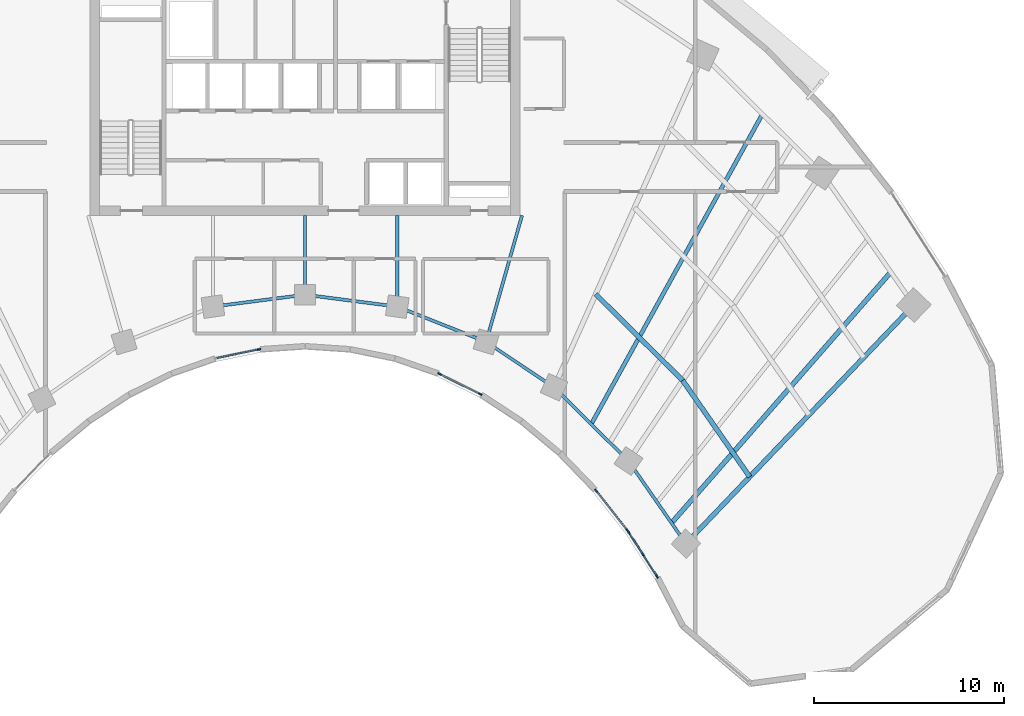
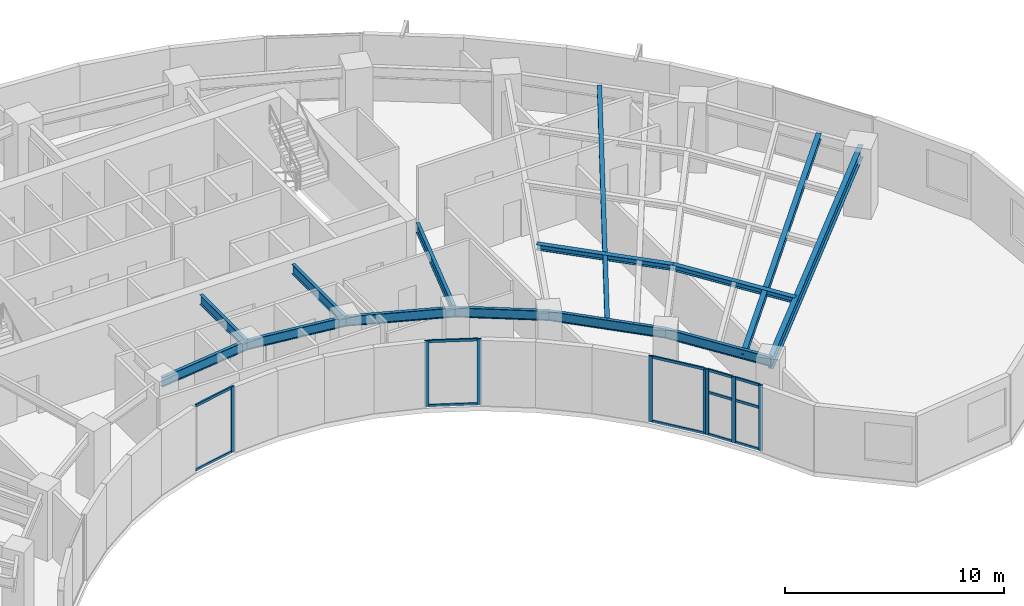
# One storey, part 3 of 14: 20 members, 14 beams, 4 elements without a shape of their own.
"""IFC4 building model written with IfcOpenShell, lengths in metres."""

from ifc_helpers import new_model, si_unit, direction, frame, origin, origin_2d, place, context, subcontext, project, spatial, rectangle, i_section, extrude, source, transform, mapped, material, layer, layer_set, material_profile, profile_set, type_object, type_shapes, element, aggregate, save


model = new_model("IFC4")

# Units and contexts
model_context = context("Model", 3, precision=1e-05, world=origin(), true_north=direction((0.0, 1.0)))
body_context = subcontext(model_context, "Body", "Model", "MODEL_VIEW")
ifc_project = project(units=[si_unit("LENGTHUNIT", "METRE"), si_unit("AREAUNIT", "SQUARE_METRE"), si_unit("VOLUMEUNIT", "CUBIC_METRE"), si_unit("PLANEANGLEUNIT", "RADIAN"), si_unit("MASSUNIT", "GRAM", prefix="KILO")], contexts=[model_context])

# Site, building, storey
site_placement = place(None, origin())
site = spatial("IfcSite", under=ifc_project, at=site_placement, CompositionType="ELEMENT")
building_placement = place(site_placement, origin())
building = spatial("IfcBuilding", under=site, at=building_placement, Name="Breltana Convention Tower", CompositionType="ELEMENT")
storey_placement = place(building_placement, frame((0.0, 0.0, 115.5)))
storey = spatial("IfcBuildingStorey", under=building, at=storey_placement, Name="L27", CompositionType="ELEMENT", Elevation=115.5)

# Beams
ifc_material_1 = material(Name="Steel ASTM A992 Grade 50", Category="steel")
ifc_material_profile_1 = material_profile(ifc_material_1, i_section(OverallWidth=0.25390625, OverallDepth=0.68798828125, WebThickness=0.01318359375, FlangeThickness=0.02099609375, at=origin_2d()), Name="W27X102")
ifc_profile_set_1 = profile_set([ifc_material_profile_1], Name="Steel ASTM A992 Grade 50")
beam_type_1 = type_object("IfcBeamType", Name="BM-RG-W27X102", PredefinedType="USERDEFINED", material=ifc_profile_set_1)
shared_shape_1 = source(origin(), body_context, "Body", "SweptSolid", [
    extrude(i_section(OverallWidth=0.25390625, OverallDepth=0.68798828125, WebThickness=0.01318359375, FlangeThickness=0.02099609375, at=origin_2d()), origin(), (0.0, 0.0, 1.0), 17.341064453125),
])
type_shapes(beam_type_1, [shared_shape_1])
beam_1_placement = place(storey_placement, frame((68.015380859375, 42.95458984375, 3.305908203125), z_axis=(0.690716462293, 0.723125693581, 0.0), x_axis=(-0.723125693581, 0.690716462293, 0.0)))
element("IfcBeam", 1, at=beam_1_placement, inside=storey, type_object=beam_type_1, Name="L27 Radial Floor Girder R11", ObjectType="GIRDER", PredefinedType="USERDEFINED", context=body_context, shape_type="MappedRepresentation", body=[
    mapped(shared_shape_1, transform((0.0, 0.0, 0.0), scale=1.0)),
])
ifc_material_profile_2 = material_profile(ifc_material_1, i_section(OverallWidth=0.166015625, OverallDepth=0.534912109375, WebThickness=0.01025390625, FlangeThickness=0.0166015625, at=origin_2d()), Name="W21X57")
ifc_profile_set_2 = profile_set([ifc_material_profile_2], Name="Steel ASTM A992 Grade 50")
beam_type_2 = type_object("IfcBeamType", Name="BM-BM-W21X57", PredefinedType="BEAM", material=ifc_profile_set_2)
shared_shape_2 = source(origin(), body_context, "Body", "SweptSolid", [
    extrude(i_section(OverallWidth=0.166015625, OverallDepth=0.534912109375, WebThickness=0.01025390625, FlangeThickness=0.0166015625, at=origin_2d()), origin(), (0.0, 0.0, 1.0), 6.904541015625),
])
type_shapes(beam_type_2, [shared_shape_2])
beam_2_placement = place(storey_placement, frame((59.39990234375, 60.199951171875, 3.382568359375), z_axis=(-0.273006781054, -0.962012108811, 0.0), x_axis=(0.962012108811, -0.273006781054, 0.0)))
element("IfcBeam", 2, at=beam_2_placement, inside=storey, type_object=beam_type_2, Name="L27 South Core Tie Girder R08", PredefinedType="BEAM", context=body_context, shape_type="MappedRepresentation", body=[
    mapped(shared_shape_2, transform((0.0, 0.0, 0.0), scale=1.0)),
])
shared_shape_3 = source(origin(), body_context, "Body", "SweptSolid", [
    extrude(i_section(OverallWidth=0.166015625, OverallDepth=0.534912109375, WebThickness=0.01025390625, FlangeThickness=0.0166015625, at=origin_2d()), origin(), (0.0, 0.0, 1.0), 4.789306640625),
])
beam_3_placement = place(storey_placement, frame((52.846435546875, 60.199951171875, 3.382568359375), z_axis=(0.0, -1.0, 0.0), x_axis=(1.0, 0.0, 0.0)))
element("IfcBeam", 3, at=beam_3_placement, inside=storey, type_object=beam_type_2, Name="L27 South Core Tie Girder R07", PredefinedType="BEAM", context=body_context, shape_type="MappedRepresentation", body=[
    mapped(shared_shape_3, transform((0.0, 0.0, 0.0), scale=1.0)),
])
shared_shape_4 = source(origin(), body_context, "Body", "SweptSolid", [
    extrude(i_section(OverallWidth=0.166015625, OverallDepth=0.534912109375, WebThickness=0.01025390625, FlangeThickness=0.0166015625, at=origin_2d()), origin(), (0.0, 0.0, 1.0), 4.1640625),
])
beam_4_placement = place(storey_placement, frame((48.0, 60.199951171875, 3.382568359375), z_axis=(0.0, -1.0, 0.0), x_axis=(1.0, 0.0, 0.0)))
element("IfcBeam", 4, at=beam_4_placement, inside=storey, type_object=beam_type_2, Name="L27 South Core Tie Girder R06", PredefinedType="BEAM", context=body_context, shape_type="MappedRepresentation", body=[
    mapped(shared_shape_4, transform((0.0, 0.0, 0.0), scale=1.0)),
])
shared_shape_5 = source(origin(), body_context, "Body", "SweptSolid", [
    extrude(i_section(OverallWidth=0.166015625, OverallDepth=0.534912109375, WebThickness=0.01025390625, FlangeThickness=0.0166015625, at=origin_2d()), origin(), (0.0, 0.0, 1.0), 5.022705078125),
])
beam_5_placement = place(storey_placement, frame((52.846435546875, 55.41064453125, 3.382568359375), z_axis=(0.929458966248, -0.368925507469, 0.0), x_axis=(0.368925507469, 0.929458966248, 0.0)))
element("IfcBeam", 5, at=beam_5_placement, inside=storey, type_object=beam_type_2, Name="L27 Inner Ring Beam 07", PredefinedType="BEAM", context=body_context, shape_type="MappedRepresentation", body=[
    mapped(shared_shape_5, transform((0.0, 0.0, 0.0), scale=1.0)),
])
shared_shape_6 = source(origin(), body_context, "Body", "SweptSolid", [
    extrude(i_section(OverallWidth=0.166015625, OverallDepth=0.534912109375, WebThickness=0.01025390625, FlangeThickness=0.0166015625, at=origin_2d()), origin(), (0.0, 0.0, 1.0), 4.88671875),
])
for number, where, z_axis, x_axis, name in (
    (6, (43.153564453125, 55.41064453125, 3.382568359375), (0.991780525565, 0.127950729231, 0.0), (-0.127950729231, 0.991780525565, 0.0), "L27 Inner Ring Beam 05"),
    (7, (48.0, 56.035888671875, 3.382568359375), (0.991780525565, -0.127950729231, 0.0), (0.127950729231, 0.991780525565, 0.0), "L27 Inner Ring Beam 06"),
):
    element("IfcBeam", number, at=place(storey_placement, frame(where, z_axis=z_axis, x_axis=x_axis)), inside=storey, type_object=beam_type_2, Name=name, PredefinedType="BEAM", context=body_context, shape_type="MappedRepresentation", body=[
        mapped(shared_shape_6, transform((0.0, 0.0, 0.0), scale=1.0)),
    ])
shared_shape_7 = source(origin(), body_context, "Body", "SweptSolid", [
    extrude(i_section(OverallWidth=0.166015625, OverallDepth=0.534912109375, WebThickness=0.01025390625, FlangeThickness=0.0166015625, at=origin_2d()), origin(), (0.0, 0.0, 1.0), 4.2900390625),
])
beam_6_placement = place(storey_placement, frame((57.514892578125, 53.5576171875, 3.382568359375), z_axis=(0.831515827753, -0.555501060482, 0.0), x_axis=(0.555501060482, 0.831515827753, 0.0)))
element("IfcBeam", 8, at=beam_6_placement, inside=storey, type_object=beam_type_2, Name="L27 Inner Ring Beam 08", PredefinedType="BEAM", context=body_context, shape_type="MappedRepresentation", body=[
    mapped(shared_shape_7, transform((0.0, 0.0, 0.0), scale=1.0)),
])
shared_shape_8 = source(origin(), body_context, "Body", "SweptSolid", [
    extrude(i_section(OverallWidth=0.166015625, OverallDepth=0.534912109375, WebThickness=0.01025390625, FlangeThickness=0.0166015625, at=origin_2d()), origin(), (0.0, 0.0, 1.0), 5.51171875),
])
beam_7_placement = place(storey_placement, frame((61.08203125, 51.174560546875, 3.382568359375), z_axis=(0.710090360749, -0.704110559196, 0.0), x_axis=(0.704110559196, 0.710090360749, 0.0)))
element("IfcBeam", 9, at=beam_7_placement, inside=storey, type_object=beam_type_2, Name="L27 Inner Ring Beam 09", PredefinedType="BEAM", context=body_context, shape_type="MappedRepresentation", body=[
    mapped(shared_shape_8, transform((0.0, 0.0, 0.0), scale=1.0)),
])
shared_shape_9 = source(origin(), body_context, "Body", "SweptSolid", [
    extrude(i_section(OverallWidth=0.166015625, OverallDepth=0.534912109375, WebThickness=0.01025390625, FlangeThickness=0.0166015625, at=origin_2d()), origin(), (0.0, 0.0, 1.0), 5.286376953125),
])
beam_8_placement = place(storey_placement, frame((64.995849609375, 47.293701171875, 3.382568359375), z_axis=(0.571194382458, -0.82081482531, 0.0), x_axis=(0.82081482531, 0.571194382458, 0.0)))
element("IfcBeam", 10, at=beam_8_placement, inside=storey, type_object=beam_type_2, Name="L27 Inner Ring Beam 10", PredefinedType="BEAM", context=body_context, shape_type="MappedRepresentation", body=[
    mapped(shared_shape_9, transform((0.0, 0.0, 0.0), scale=1.0)),
])
ifc_material_profile_3 = material_profile(ifc_material_1, i_section(OverallWidth=0.25390625, OverallDepth=0.305908203125, WebThickness=0.0087890625, FlangeThickness=0.0146484375, at=origin_2d()), Name="W12X53")
ifc_profile_set_3 = profile_set([ifc_material_profile_3], Name="Steel ASTM A992 Grade 50")
beam_type_3 = type_object("IfcBeamType", Name="BM-JSG-10", PredefinedType="JOIST", material=ifc_profile_set_3)
shared_shape_10 = source(origin(), body_context, "Body", "SweptSolid", [
    extrude(i_section(OverallWidth=0.25390625, OverallDepth=0.305908203125, WebThickness=0.0087890625, FlangeThickness=0.0146484375, at=origin_2d()), origin(), (0.0, 0.0, 1.0), 6.435302734375),
])
beam_9_placement = place(storey_placement, frame((63.27392578125, 56.06298828125, 3.4970703125), z_axis=(0.710116389828, -0.704084308089, 0.0), x_axis=(0.704084308089, 0.710116389828, 0.0)))
element("IfcBeam", 11, at=beam_9_placement, inside=storey, type_object=beam_type_3, Name="L27 Composite Floor Joist 09.1", PredefinedType="JOIST", context=body_context, shape_type="MappedRepresentation", body=[
    mapped(shared_shape_10, transform((0.0, 0.0, 0.0), scale=1.0)),
])
ifc_material_profile_4 = material_profile(ifc_material_1, i_section(OverallWidth=0.214111328125, OverallDepth=0.549072265625, WebThickness=0.0146484375, FlangeThickness=0.023681640625, at=origin_2d()), Name="W21X93")
ifc_profile_set_4 = profile_set([ifc_material_profile_4], Name="Steel ASTM A992 Grade 50")
beam_type_4 = type_object("IfcBeamType", Name="BM-JSG-03", PredefinedType="JOIST", material=ifc_profile_set_4)
shared_shape_11 = source(origin(), body_context, "Body", "SweptSolid", [
    extrude(i_section(OverallWidth=0.214111328125, OverallDepth=0.549072265625, WebThickness=0.0146484375, FlangeThickness=0.023681640625, at=origin_2d()), origin(), (0.0, 0.0, 1.0), 18.617431640625),
])
beam_10_placement = place(storey_placement, frame((63.038818359375, 49.234130859375, 3.37548828125), z_axis=(0.483405602507, 0.875396495004, 0.0), x_axis=(-0.875396495004, 0.483405602507, 0.0)))
element("IfcBeam", 12, at=beam_10_placement, inside=storey, type_object=beam_type_4, Name="L27 Mid-Bay Radial Trimmer 09", PredefinedType="JOIST", context=body_context, shape_type="MappedRepresentation", body=[
    mapped(shared_shape_11, transform((0.0, 0.0, 0.0), scale=1.0)),
])
shared_shape_12 = source(origin(), body_context, "Body", "SweptSolid", [
    extrude(i_section(OverallWidth=0.25390625, OverallDepth=0.305908203125, WebThickness=0.0087890625, FlangeThickness=0.0146484375, at=origin_2d()), origin(), (0.0, 0.0, 1.0), 6.172119140625),
])
beam_11_placement = place(storey_placement, frame((67.84375, 51.531982421875, 3.4970703125), z_axis=(0.571211663392, -0.820802799462, 0.0), x_axis=(0.820802799462, 0.571211663392, 0.0)))
element("IfcBeam", 13, at=beam_11_placement, inside=storey, type_object=beam_type_3, Name="L27 Composite Floor Joist 10.1", PredefinedType="JOIST", context=body_context, shape_type="MappedRepresentation", body=[
    mapped(shared_shape_12, transform((0.0, 0.0, 0.0), scale=1.0)),
])
shared_shape_13 = source(origin(), body_context, "Body", "SweptSolid", [
    extrude(i_section(OverallWidth=0.25390625, OverallDepth=0.305908203125, WebThickness=0.0087890625, FlangeThickness=0.0146484375, at=origin_2d()), origin(), (0.0, 0.0, 1.0), 17.515625),
])
beam_12_placement = place(storey_placement, frame((67.260498046875, 44.03955078125, 3.4970703125), z_axis=(0.658051548324, 0.752972881151, 0.0), x_axis=(-0.752972881151, 0.658051548324, 0.0)))
element("IfcBeam", 14, at=beam_12_placement, inside=storey, type_object=beam_type_3, Name="L27 Quarter-Bay Radial Trimmer 10", PredefinedType="JOIST", context=body_context, shape_type="MappedRepresentation", body=[
    mapped(shared_shape_13, transform((0.0, 0.0, 0.0), scale=1.0)),
])

# Curtain wall, members
ifc_material_2 = material(Name="Aluminium Anodised Bronze Frame", Category="aluminium")
ifc_layer = layer(ifc_material_2, 0.18994140625, Name="Aluminium Anodised Bronze Frame")
ifc_layer_set = layer_set([ifc_layer], Name="Aluminium Anodised Bronze Frame")
curtain_wall_type = type_object("IfcCurtainWallType", Name="CW-SYS-1", PredefinedType="NOTDEFINED", material=ifc_layer_set)
curtain_wall_1_placement = place(storey_placement, origin())
curtain_wall_1 = element("IfcCurtainWall", 15, at=curtain_wall_1_placement, inside=storey, type_object=curtain_wall_type, Name="L27 inner south-court glazing 1", PredefinedType="NOTDEFINED")
ifc_material_3 = material(Name="Aluminium Anodised Bronze", Category="aluminium")
ifc_material_profile_5 = material_profile(ifc_material_3, rectangle(XDim=0.080078125, YDim=0.139892578125, at=origin_2d()), Name="CWT-80X140")
ifc_profile_set_5 = profile_set([ifc_material_profile_5], Name="Aluminium Anodised Bronze")
member_type_1 = type_object("IfcMemberType", Name="CWT-140", PredefinedType="USERDEFINED", material=ifc_profile_set_5)
shared_shape_14 = source(origin(), body_context, "Body", "SweptSolid", [
    extrude(rectangle(XDim=0.080078125, YDim=0.139892578125, at=origin_2d()), origin(), (0.0, 0.0, 1.0), 1.30029296875),
])
member_1_placement = place(storey_placement, frame((66.4794921875, 41.259521484375, 0.0400390625), z_axis=(-0.540188084224, 0.841544314735, 0.0), x_axis=(-0.841544314735, -0.540188084224, 0.0)))
member_1 = element("IfcMember", 16, at=member_1_placement, type_object=member_type_1, Name="CW-01 transom 1.1", ObjectType="TRANSOM", PredefinedType="USERDEFINED", context=body_context, shape_type="MappedRepresentation", body=[
    mapped(shared_shape_14, transform((0.0, 0.0, 0.0), scale=1.0)),
])
member_2_placement = place(storey_placement, frame((66.4794921875, 41.259521484375, 2.37255859375), z_axis=(-0.540188084224, 0.841544314735, 0.0), x_axis=(-0.841544314735, -0.540188084224, 0.0)))
member_2 = element("IfcMember", 17, at=member_2_placement, type_object=member_type_1, Name="CW-01 transom 1.2", ObjectType="TRANSOM", PredefinedType="USERDEFINED", context=body_context, shape_type="MappedRepresentation", body=[
    mapped(shared_shape_14, transform((0.0, 0.0, 0.0), scale=1.0)),
])
member_3_placement = place(storey_placement, frame((66.4794921875, 41.259521484375, 3.610107421875), z_axis=(-0.540188084224, 0.841544314735, 0.0), x_axis=(-0.841544314735, -0.540188084224, 0.0)))
member_3 = element("IfcMember", 18, at=member_3_placement, type_object=member_type_1, Name="CW-01 transom 1.3", ObjectType="TRANSOM", PredefinedType="USERDEFINED", context=body_context, shape_type="MappedRepresentation", body=[
    mapped(shared_shape_14, transform((0.0, 0.0, 0.0), scale=1.0)),
])
shared_shape_15 = source(origin(), body_context, "Body", "SweptSolid", [
    extrude(rectangle(XDim=0.080078125, YDim=0.139892578125, at=origin_2d()), origin(), (0.0, 0.0, 1.0), 1.300048828125),
])
member_4_placement = place(storey_placement, frame((65.73388671875, 42.4208984375, 0.0400390625), z_axis=(-0.540140453972, 0.841574886735, 0.0), x_axis=(-0.841574886735, -0.540140453972, 0.0)))
member_4 = element("IfcMember", 19, at=member_4_placement, type_object=member_type_1, Name="CW-01 transom 2.1", ObjectType="TRANSOM", PredefinedType="USERDEFINED", context=body_context, shape_type="MappedRepresentation", body=[
    mapped(shared_shape_15, transform((0.0, 0.0, 0.0), scale=1.0)),
])
member_5_placement = place(storey_placement, frame((65.73388671875, 42.4208984375, 2.37255859375), z_axis=(-0.540140453972, 0.841574886735, 0.0), x_axis=(-0.841574886735, -0.540140453972, 0.0)))
member_5 = element("IfcMember", 20, at=member_5_placement, type_object=member_type_1, Name="CW-01 transom 2.2", ObjectType="TRANSOM", PredefinedType="USERDEFINED", context=body_context, shape_type="MappedRepresentation", body=[
    mapped(shared_shape_15, transform((0.0, 0.0, 0.0), scale=1.0)),
])
member_6_placement = place(storey_placement, frame((65.73388671875, 42.4208984375, 3.610107421875), z_axis=(-0.540140453972, 0.841574886735, 0.0), x_axis=(-0.841574886735, -0.540140453972, 0.0)))
member_6 = element("IfcMember", 21, at=member_6_placement, type_object=member_type_1, Name="CW-01 transom 2.3", ObjectType="TRANSOM", PredefinedType="USERDEFINED", context=body_context, shape_type="MappedRepresentation", body=[
    mapped(shared_shape_15, transform((0.0, 0.0, 0.0), scale=1.0)),
])

curtain_wall_2_placement = place(storey_placement, origin())
curtain_wall_2 = element("IfcCurtainWall", 22, at=curtain_wall_2_placement, inside=storey, type_object=curtain_wall_type, Name="L27 inner south-court glazing 2", PredefinedType="NOTDEFINED")
shared_shape_16 = source(origin(), body_context, "Body", "SweptSolid", [
    extrude(rectangle(XDim=0.080078125, YDim=0.139892578125, at=origin_2d()), origin(), (0.0, 0.0, 1.0), 2.6005859375),
])
member_7_placement = place(storey_placement, frame((64.928955078125, 43.6591796875, 0.0400390625), z_axis=(-0.618078566977, 0.786116330478, 0.0), x_axis=(-0.786116330478, -0.618078566977, 0.0)))
member_7 = element("IfcMember", 23, at=member_7_placement, type_object=member_type_1, Name="CW-01 transom 1.1", ObjectType="TRANSOM", PredefinedType="USERDEFINED", context=body_context, shape_type="MappedRepresentation", body=[
    mapped(shared_shape_16, transform((0.0, 0.0, 0.0), scale=1.0)),
])
member_8_placement = place(storey_placement, frame((64.928955078125, 43.6591796875, 3.610107421875), z_axis=(-0.618078566977, 0.786116330478, 0.0), x_axis=(-0.786116330478, -0.618078566977, 0.0)))
member_8 = element("IfcMember", 24, at=member_8_placement, type_object=member_type_1, Name="CW-01 transom 1.2", ObjectType="TRANSOM", PredefinedType="USERDEFINED", context=body_context, shape_type="MappedRepresentation", body=[
    mapped(shared_shape_16, transform((0.0, 0.0, 0.0), scale=1.0)),
])

curtain_wall_3_placement = place(storey_placement, origin())
curtain_wall_3 = element("IfcCurtainWall", 25, at=curtain_wall_3_placement, inside=storey, type_object=curtain_wall_type, Name="L27 inner south-court glazing 3", PredefinedType="NOTDEFINED")
shared_shape_17 = source(origin(), body_context, "Body", "SweptSolid", [
    extrude(rectangle(XDim=0.080078125, YDim=0.139892578125, at=origin_2d()), origin(), (0.0, 0.0, 1.0), 2.302490234375),
])
member_9_placement = place(storey_placement, frame((57.167236328125, 50.83251953125, 0.0400390625), z_axis=(-0.895948802276, 0.444157341152, 0.0), x_axis=(-0.444157341152, -0.895948802276, 0.0)))
member_9 = element("IfcMember", 26, at=member_9_placement, type_object=member_type_1, Name="CW-01 transom 1.1", ObjectType="TRANSOM", PredefinedType="USERDEFINED", context=body_context, shape_type="MappedRepresentation", body=[
    mapped(shared_shape_17, transform((0.0, 0.0, 0.0), scale=1.0)),
])
member_10_placement = place(storey_placement, frame((57.167236328125, 50.83251953125, 3.610107421875), z_axis=(-0.895948802276, 0.444157341152, 0.0), x_axis=(-0.444157341152, -0.895948802276, 0.0)))
member_10 = element("IfcMember", 27, at=member_10_placement, type_object=member_type_1, Name="CW-01 transom 1.2", ObjectType="TRANSOM", PredefinedType="USERDEFINED", context=body_context, shape_type="MappedRepresentation", body=[
    mapped(shared_shape_17, transform((0.0, 0.0, 0.0), scale=1.0)),
])

curtain_wall_4_placement = place(storey_placement, origin())
curtain_wall_4 = element("IfcCurtainWall", 28, at=curtain_wall_4_placement, inside=storey, type_object=curtain_wall_type, Name="L27 inner south-court glazing 4", PredefinedType="NOTDEFINED")
shared_shape_18 = source(origin(), body_context, "Body", "SweptSolid", [
    extrude(rectangle(XDim=0.080078125, YDim=0.139892578125, at=origin_2d()), origin(), (0.0, 0.0, 1.0), 2.2138671875),
])
member_11_placement = place(storey_placement, frame((45.535888671875, 53.15576171875, 0.0400390625), z_axis=(-0.979627741123, -0.200822032712, 0.0), x_axis=(0.200822032712, -0.979627741123, 0.0)))
member_11 = element("IfcMember", 29, at=member_11_placement, type_object=member_type_1, Name="CW-01 transom 1.1", ObjectType="TRANSOM", PredefinedType="USERDEFINED", context=body_context, shape_type="MappedRepresentation", body=[
    mapped(shared_shape_18, transform((0.0, 0.0, 0.0), scale=1.0)),
])
member_12_placement = place(storey_placement, frame((45.535888671875, 53.15576171875, 3.610107421875), z_axis=(-0.979627741123, -0.200822032712, 0.0), x_axis=(0.200822032712, -0.979627741123, 0.0)))
member_12 = element("IfcMember", 30, at=member_12_placement, type_object=member_type_1, Name="CW-01 transom 1.2", ObjectType="TRANSOM", PredefinedType="USERDEFINED", context=body_context, shape_type="MappedRepresentation", body=[
    mapped(shared_shape_18, transform((0.0, 0.0, 0.0), scale=1.0)),
])

# Member
ifc_material_profile_6 = material_profile(ifc_material_3, rectangle(XDim=0.080078125, YDim=0.199951171875, at=origin_2d()), Name="CWM-80X200")
ifc_profile_set_6 = profile_set([ifc_material_profile_6], Name="Aluminium Anodised Bronze")
member_type_2 = type_object("IfcMemberType", Name="CWM-200", PredefinedType="MULLION", material=ifc_profile_set_6)
shared_shape_19 = source(origin(), body_context, "Body", "SweptSolid", [
    extrude(rectangle(XDim=0.080078125, YDim=0.199951171875, at=origin_2d()), origin(), (0.0, 0.0, 1.0), 3.64990234375),
])
member_13_placement = place(storey_placement, frame((66.5009765625, 41.22607421875, 0.0), z_axis=(0.0, 0.0, 1.0), x_axis=(-0.841551235949, -0.5401773017, 0.0)))
member_13 = element("IfcMember", 31, at=member_13_placement, type_object=member_type_2, Name="CW-01 mullion 1", PredefinedType="MULLION", context=body_context, shape_type="MappedRepresentation", body=[
    mapped(shared_shape_19, transform((0.0, 0.0, 0.0), scale=1.0)),
])

member_14_placement = place(storey_placement, frame((65.755615234375, 42.38720703125, 0.0), z_axis=(0.0, 0.0, 1.0), x_axis=(-0.841551235949, -0.5401773017, 0.0)))
member_14 = element("IfcMember", 32, at=member_14_placement, type_object=member_type_2, Name="CW-01 mullion 2", PredefinedType="MULLION", context=body_context, shape_type="MappedRepresentation", body=[
    mapped(shared_shape_19, transform((0.0, 0.0, 0.0), scale=1.0)),
])

member_15_placement = place(storey_placement, frame((65.010009765625, 43.548583984375, 0.0), z_axis=(0.0, 0.0, 1.0), x_axis=(-0.841551235949, -0.5401773017, 0.0)))
member_15 = element("IfcMember", 33, at=member_15_placement, type_object=member_type_2, Name="CW-01 mullion 3", PredefinedType="MULLION", context=body_context, shape_type="MappedRepresentation", body=[
    mapped(shared_shape_19, transform((0.0, 0.0, 0.0), scale=1.0)),
])

aggregate(curtain_wall_1, [member_13, member_14, member_15, member_1, member_2, member_3, member_4, member_5, member_6])

member_16_placement = place(storey_placement, frame((64.953857421875, 43.6279296875, 0.0), z_axis=(0.0, 0.0, 1.0), x_axis=(-0.786054302547, -0.61815745037, 0.0)))
member_16 = element("IfcMember", 34, at=member_16_placement, type_object=member_type_2, Name="CW-01 mullion 1", PredefinedType="MULLION", context=body_context, shape_type="MappedRepresentation", body=[
    mapped(shared_shape_19, transform((0.0, 0.0, 0.0), scale=1.0)),
])

member_17_placement = place(storey_placement, frame((63.296630859375, 45.73486328125, 0.0), z_axis=(0.0, 0.0, 1.0), x_axis=(-0.786054302547, -0.61815745037, 0.0)))
member_17 = element("IfcMember", 35, at=member_17_placement, type_object=member_type_2, Name="CW-01 mullion 2", PredefinedType="MULLION", context=body_context, shape_type="MappedRepresentation", body=[
    mapped(shared_shape_19, transform((0.0, 0.0, 0.0), scale=1.0)),
])

aggregate(curtain_wall_2, [member_16, member_17, member_7, member_8])

member_18_placement = place(storey_placement, frame((57.203125, 50.814697265625, 0.0), z_axis=(0.0, 0.0, 1.0), x_axis=(-0.444124759622, -0.895964953495, 0.0)))
member_18 = element("IfcMember", 36, at=member_18_placement, type_object=member_type_2, Name="CW-01 mullion 1", PredefinedType="MULLION", context=body_context, shape_type="MappedRepresentation", body=[
    mapped(shared_shape_19, transform((0.0, 0.0, 0.0), scale=1.0)),
])

member_19_placement = place(storey_placement, frame((55.068359375, 51.873046875, 0.0), z_axis=(0.0, 0.0, 1.0), x_axis=(-0.444124759622, -0.895964953495, 0.0)))
member_19 = element("IfcMember", 37, at=member_19_placement, type_object=member_type_2, Name="CW-01 mullion 2", PredefinedType="MULLION", context=body_context, shape_type="MappedRepresentation", body=[
    mapped(shared_shape_19, transform((0.0, 0.0, 0.0), scale=1.0)),
])

aggregate(curtain_wall_3, [member_18, member_19, member_9, member_10])

member_20_placement = place(storey_placement, frame((45.574951171875, 53.163818359375, 0.0), z_axis=(0.0, 0.0, 1.0), x_axis=(0.200852929183, -0.979621406891, 0.0)))
member_20 = element("IfcMember", 38, at=member_20_placement, type_object=member_type_2, Name="CW-01 mullion 1", PredefinedType="MULLION", context=body_context, shape_type="MappedRepresentation", body=[
    mapped(shared_shape_19, transform((0.0, 0.0, 0.0), scale=1.0)),
])

aggregate(curtain_wall_4, [member_20, member_11, member_12])

save(model, "model.ifc")
